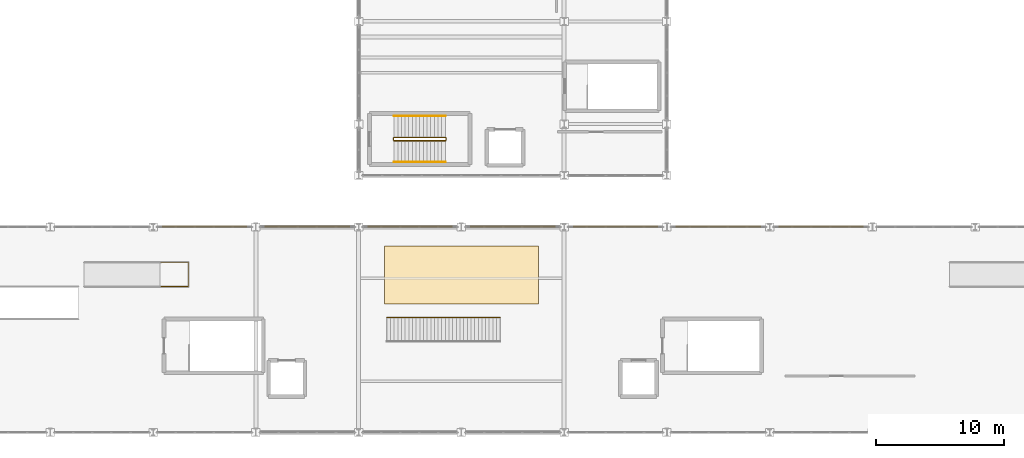
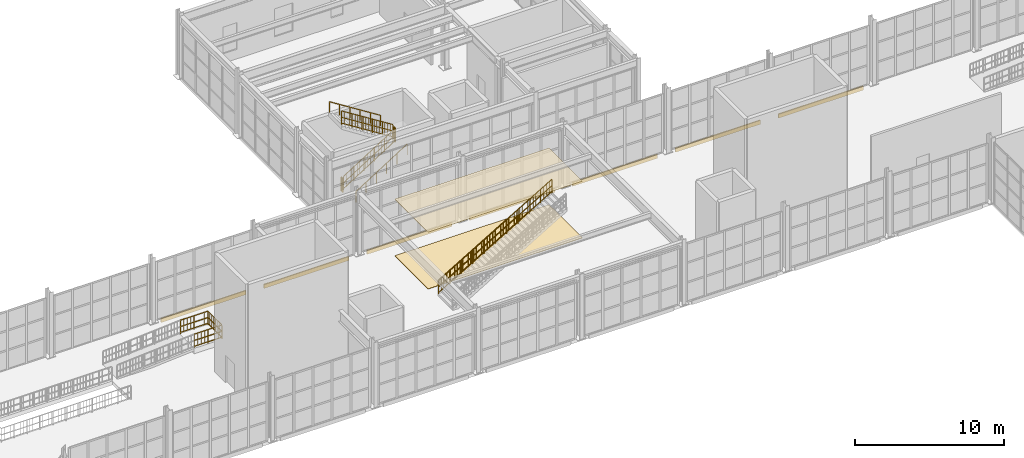
# One storey, part 80 of 82: 9 coverings, 8 railings.
"""IFC4 building model written with IfcOpenShell, lengths in metres."""

from ifc_helpers import new_model, si_unit, direction, frame, origin, origin_2d, place, context, subcontext, project, spatial, polyline, rectangle, outline, extrude, material, layer, layer_set, type_object, element, save


model = new_model("IFC4")

# Units and contexts
model_context = context("Model", 3, precision=1e-05, world=origin(), true_north=direction((0.0, 1.0)))
body_context = subcontext(model_context, "Body", "Model", "MODEL_VIEW")
ifc_project = project(units=[si_unit("LENGTHUNIT", "METRE"), si_unit("AREAUNIT", "SQUARE_METRE"), si_unit("VOLUMEUNIT", "CUBIC_METRE"), si_unit("PLANEANGLEUNIT", "RADIAN"), si_unit("MASSUNIT", "GRAM", prefix="KILO")], contexts=[model_context])

# Site, building, storey
site_placement = place(None, origin())
site = spatial("IfcSite", under=ifc_project, at=site_placement, CompositionType="ELEMENT")
building_placement = place(site_placement, origin())
building = spatial("IfcBuilding", under=site, at=building_placement, Name="Serraluz Foothill Cableway Terminal", CompositionType="ELEMENT")
storey_placement = place(building_placement, frame((0.0, 0.0, 9.60009765625)))
storey = spatial("IfcBuildingStorey", under=building, at=storey_placement, Name="L02", CompositionType="ELEMENT", Elevation=9.60009765625)

# Coverings
ifc_material_1 = material(Name="Perforated acoustic mineral and timber ceiling", Category="wood")
ifc_layer_1 = layer(ifc_material_1, 0.034912109375, Name="Perforated acoustic mineral and timber ceiling", Category="wood")
ifc_layer_set_1 = layer_set([ifc_layer_1], Name="Perforated acoustic mineral and timber ceiling")
covering_type_1 = type_object("IfcCoveringType", Name="TYP-COV-CEIL-35", PredefinedType="CEILING", material=ifc_layer_set_1)
covering_1_placement = place(storey_placement, frame((0.0, 0.0, 4.64892578125)))
element("IfcCovering", 1, at=covering_1_placement, inside=storey, type_object=covering_type_1, Name="Suspended Acoustic Ceiling 09", PredefinedType="CEILING", context=body_context, shape_type="SweptSolid", body=[
    extrude(outline(polyline([(82.0, 66.0), (82.0, 70.5), (94.0, 70.5), (94.0, 66.0), (82.0, 66.0)])), origin(), (0.0, 0.0, 1.0), 0.034912109375),
])
ifc_material_2 = material(Name="Fired clay masonry brick (f'm 12 MPa)", Category="masonry")
ifc_layer_2 = layer(ifc_material_2, 0.090087890625, Name="Fired clay masonry brick (f'm 12 MPa)", Category="masonry")
ifc_layer_set_2 = layer_set([ifc_layer_2], Name="Fired clay masonry brick (f'm 12 MPa)")
covering_type_2 = type_object("IfcCoveringType", Name="TYP-COV-CLAD-90", PredefinedType="CLADDING", material=ifc_layer_set_2)
for number, where, z_axis, x_axis, name in (
    (2, (68.0, 72.030029296875, -0.3203125), (0.0, 0.0, 1.0), (1.0, 0.0, 0.0), "Terracotta Spandrel Relief Band COV-CLAD-V1N-4"),
    (3, (76.0, 72.030029296875, -0.3203125), (0.0, 0.0, 1.0), (1.0, 0.0, 0.0), "Terracotta Spandrel Relief Band COV-CLAD-V1N-5"),
    (4, (84.0, 72.030029296875, -0.3203125), (0.0, 0.0, 1.0), (1.0, 0.0, 0.0), "Terracotta Spandrel Relief Band COV-CLAD-V1N-6"),
    (5, (92.0, 72.030029296875, -0.3203125), (0.0, 0.0, 1.0), (1.0, 0.0, 0.0), "Terracotta Spandrel Relief Band COV-CLAD-V1N-7"),
    (6, (100.0, 72.030029296875, -0.3203125), (0.0, 0.0, 1.0), (1.0, 0.0, 0.0), "Terracotta Spandrel Relief Band COV-CLAD-V1N-8"),
    (7, (108.0, 72.030029296875, -0.3203125), (0.0, 0.0, 1.0), (1.0, 0.0, 0.0), "Terracotta Spandrel Relief Band COV-CLAD-V1N-9"),
    (8, (116.0, 72.030029296875, -0.3203125), (0.0, 0.0, 1.0), (1.0, 0.0, 0.0), "Terracotta Spandrel Relief Band COV-CLAD-V1N-10"),
):
    element("IfcCovering", number, at=place(storey_placement, frame(where, z_axis=z_axis, x_axis=x_axis)), inside=storey, type_object=covering_type_2, Name=name, PredefinedType="CLADDING", context=body_context, shape_type="SweptSolid", body=[
        extrude(rectangle(XDim=6.60009765625, YDim=0.090087890625, at=origin_2d()), origin(), (0.0, 0.0, 1.0), 0.320068359375),
    ])
ifc_material_3 = material(Name="Honed basalt and terrazzo floor finish", Category="masonry")
ifc_layer_3 = layer(ifc_material_3, 0.02490234375, Name="Honed basalt and terrazzo floor finish", Category="masonry")
ifc_layer_set_3 = layer_set([ifc_layer_3], Name="Honed basalt and terrazzo floor finish")
covering_type_3 = type_object("IfcCoveringType", Name="TYP-COV-FLR-25", PredefinedType="FLOORING", material=ifc_layer_set_3)
covering_2_placement = place(storey_placement, origin())
element("IfcCovering", 9, at=covering_2_placement, inside=storey, type_object=covering_type_3, Name="Terrazzo Concourse Flooring 09", PredefinedType="FLOORING", context=body_context, shape_type="SweptSolid", body=[
    extrude(outline(polyline([(82.0, 66.0), (94.0, 66.0), (94.0, 70.5), (82.0, 70.5), (82.0, 66.0)])), origin(), (0.0, 0.0, 1.0), 0.02490234375),
])

# Railings
ifc_material_4 = material(Name="Steel ASTM A572 Grade 50", Category="steel")
ifc_layer_4 = layer(ifc_material_4, 0.054931640625, Name="Steel ASTM A572 Grade 50", Category="steel")
ifc_layer_set_4 = layer_set([ifc_layer_4], Name="Steel ASTM A572 Grade 50")
railing_type_1 = type_object("IfcRailingType", Name="TYP-RL-GRD-1150", PredefinedType="GUARDRAIL", material=ifc_layer_set_4)
railing_1_placement = place(storey_placement, frame((82.760009765625, 78.7099609375, 0.179931640625)))
element("IfcRailing", 10, at=railing_1_placement, inside=storey, type_object=railing_type_1, Name="L02 ST-08 stair guard 1", PredefinedType="GUARDRAIL", context=body_context, shape_type="SweptSolid", body=[
    extrude(rectangle(XDim=0.048095703125, YDim=0.048095703125, at=origin_2d()), frame((0.0, 0.0, 1.1259765625), z_axis=(0.845486444383, 0.0, 0.533996884227), x_axis=(0.0, 1.0, 0.0)), (0.0, 0.0, 1.0), 4.71923828125),
    extrude(rectangle(XDim=0.048095703125, YDim=0.048095703125, at=origin_2d()), frame((0.0, 0.0, 0.597900390625), z_axis=(0.845486444383, 0.0, 0.533996884227), x_axis=(0.0, 1.0, 0.0)), (0.0, 0.0, 1.0), 4.71923828125),
    extrude(rectangle(XDim=0.048095703125, YDim=0.048095703125, at=origin_2d()), frame((0.0, 0.0, 0.1201171875), z_axis=(0.845486444383, 0.0, 0.533996884227), x_axis=(0.0, 1.0, 0.0)), (0.0, 0.0, 1.0), 4.71923828125),
    extrude(rectangle(XDim=0.02001953125, YDim=0.02001953125, at=origin_2d()), frame((0.2099609375, 0.0, 0.252685546875)), (0.0, 0.0, 1.0), 0.981689453125),
    extrude(rectangle(XDim=0.02001953125, YDim=0.02001953125, at=origin_2d()), frame((0.419921875, 0.0, 0.38525390625)), (0.0, 0.0, 1.0), 0.981689453125),
    extrude(rectangle(XDim=0.02001953125, YDim=0.02001953125, at=origin_2d()), frame((0.6298828125, 0.0, 0.517822265625)), (0.0, 0.0, 1.0), 0.981689453125),
    extrude(rectangle(XDim=0.02001953125, YDim=0.02001953125, at=origin_2d()), frame((1.050048828125, 0.0, 0.783203125)), (0.0, 0.0, 1.0), 0.981689453125),
    extrude(rectangle(XDim=0.02001953125, YDim=0.02001953125, at=origin_2d()), frame((1.260009765625, 0.0, 0.915771484375)), (0.0, 0.0, 1.0), 0.981689453125),
    extrude(rectangle(XDim=0.02001953125, YDim=0.02001953125, at=origin_2d()), frame((1.469970703125, 0.0, 1.04833984375)), (0.0, 0.0, 1.0), 0.981689453125),
    extrude(rectangle(XDim=0.02001953125, YDim=0.02001953125, at=origin_2d()), frame((1.679931640625, 0.0, 1.18115234375)), (0.0, 0.0, 1.0), 0.981689453125),
    extrude(rectangle(XDim=0.02001953125, YDim=0.02001953125, at=origin_2d()), frame((1.889892578125, 0.0, 1.313720703125)), (0.0, 0.0, 1.0), 0.981689453125),
    extrude(rectangle(XDim=0.02001953125, YDim=0.02001953125, at=origin_2d()), frame((2.10009765625, 0.0, 1.4462890625)), (0.0, 0.0, 1.0), 0.981689453125),
    extrude(rectangle(XDim=0.02001953125, YDim=0.02001953125, at=origin_2d()), frame((2.31005859375, 0.0, 1.578857421875)), (0.0, 0.0, 1.0), 0.981689453125),
    extrude(rectangle(XDim=0.02001953125, YDim=0.02001953125, at=origin_2d()), frame((2.52001953125, 0.0, 1.711669921875)), (0.0, 0.0, 1.0), 0.981689453125),
    extrude(rectangle(XDim=0.02001953125, YDim=0.02001953125, at=origin_2d()), frame((2.72998046875, 0.0, 1.84423828125)), (0.0, 0.0, 1.0), 0.981689453125),
    extrude(rectangle(XDim=0.02001953125, YDim=0.02001953125, at=origin_2d()), frame((2.93994140625, 0.0, 1.976806640625)), (0.0, 0.0, 1.0), 0.981689453125),
    extrude(rectangle(XDim=0.02001953125, YDim=0.02001953125, at=origin_2d()), frame((3.360107421875, 0.0, 2.2421875)), (0.0, 0.0, 1.0), 0.981689453125),
    extrude(rectangle(XDim=0.02001953125, YDim=0.02001953125, at=origin_2d()), frame((3.570068359375, 0.0, 2.374755859375)), (0.0, 0.0, 1.0), 0.981689453125),
    extrude(rectangle(XDim=0.02001953125, YDim=0.02001953125, at=origin_2d()), frame((3.780029296875, 0.0, 2.50732421875)), (0.0, 0.0, 1.0), 0.981689453125),
    extrude(rectangle(XDim=0.0439453125, YDim=0.0439453125, at=origin_2d()), origin(), (0.0, 0.0, 1.0), 1.101806640625),
    extrude(rectangle(XDim=0.0439453125, YDim=0.0439453125, at=origin_2d()), frame((0.798095703125, 0.0, 0.50390625)), (0.0, 0.0, 1.0), 1.101806640625),
    extrude(rectangle(XDim=0.0439453125, YDim=0.0439453125, at=origin_2d()), frame((1.595947265625, 0.0, 1.008056640625)), (0.0, 0.0, 1.0), 1.101806640625),
    extrude(rectangle(XDim=0.0439453125, YDim=0.0439453125, at=origin_2d()), frame((2.39404296875, 0.0, 1.511962890625)), (0.0, 0.0, 1.0), 1.101806640625),
    extrude(rectangle(XDim=0.0439453125, YDim=0.0439453125, at=origin_2d()), frame((3.19189453125, 0.0, 2.01611328125)), (0.0, 0.0, 1.0), 1.101806640625),
    extrude(rectangle(XDim=0.0439453125, YDim=0.0439453125, at=origin_2d()), frame((3.989990234375, 0.0, 2.52001953125)), (0.0, 0.0, 1.0), 1.101806640625),
])
railing_2_placement = place(storey_placement, frame((86.800048828125, 78.760009765625, 2.699951171875)))
element("IfcRailing", 11, at=railing_2_placement, inside=storey, type_object=railing_type_1, Name="L02 ST-08 stair guard 2", PredefinedType="GUARDRAIL", context=body_context, shape_type="SweptSolid", body=[
    extrude(rectangle(XDim=0.048095703125, YDim=0.048095703125, at=origin_2d()), frame((0.0, 0.0, 1.1259765625), z_axis=(0.0, 1.0, 0.0), x_axis=(-1.0, 0.0, 0.0)), (0.0, 0.0, 1.0), 0.159912109375),
    extrude(rectangle(XDim=0.048095703125, YDim=0.048095703125, at=origin_2d()), frame((0.0, 0.0, 0.597900390625), z_axis=(0.0, 1.0, 0.0), x_axis=(-1.0, 0.0, 0.0)), (0.0, 0.0, 1.0), 0.159912109375),
    extrude(rectangle(XDim=0.048095703125, YDim=0.048095703125, at=origin_2d()), frame((0.0, 0.0, 0.1201171875), z_axis=(0.0, 1.0, 0.0), x_axis=(-1.0, 0.0, 0.0)), (0.0, 0.0, 1.0), 0.159912109375),
    extrude(rectangle(XDim=0.0439453125, YDim=0.0439453125, at=origin_2d()), origin(), (0.0, 0.0, 1.0), 1.101806640625),
    extrude(rectangle(XDim=0.0439453125, YDim=0.0439453125, at=origin_2d()), frame((0.0, 0.159912109375, 0.0)), (0.0, 0.0, 1.0), 1.101806640625),
])
railing_3_placement = place(storey_placement, frame((86.75, 78.969970703125, 2.8798828125)))
element("IfcRailing", 12, at=railing_3_placement, inside=storey, type_object=railing_type_1, Name="L02 ST-08 stair guard 3", PredefinedType="GUARDRAIL", context=body_context, shape_type="SweptSolid", body=[
    extrude(rectangle(XDim=0.048095703125, YDim=0.048095703125, at=origin_2d()), frame((0.0, 0.0, 1.1259765625), z_axis=(-0.845486444383, 0.0, 0.533996884227), x_axis=(0.0, -1.0, 0.0)), (0.0, 0.0, 1.0), 4.71923828125),
    extrude(rectangle(XDim=0.048095703125, YDim=0.048095703125, at=origin_2d()), frame((0.0, 0.0, 0.597900390625), z_axis=(-0.845486444383, 0.0, 0.533996884227), x_axis=(0.0, -1.0, 0.0)), (0.0, 0.0, 1.0), 4.71923828125),
    extrude(rectangle(XDim=0.048095703125, YDim=0.048095703125, at=origin_2d()), frame((0.0, 0.0, 0.1201171875), z_axis=(-0.845486444383, 0.0, 0.533996884227), x_axis=(0.0, -1.0, 0.0)), (0.0, 0.0, 1.0), 4.71923828125),
    extrude(rectangle(XDim=0.02001953125, YDim=0.02001953125, at=origin_2d()), frame((-0.2099609375, 0.0, 0.252685546875)), (0.0, 0.0, 1.0), 0.981689453125),
    extrude(rectangle(XDim=0.02001953125, YDim=0.02001953125, at=origin_2d()), frame((-0.419921875, 0.0, 0.38525390625)), (0.0, 0.0, 1.0), 0.981689453125),
    extrude(rectangle(XDim=0.02001953125, YDim=0.02001953125, at=origin_2d()), frame((-0.6298828125, 0.0, 0.517822265625)), (0.0, 0.0, 1.0), 0.981689453125),
    extrude(rectangle(XDim=0.02001953125, YDim=0.02001953125, at=origin_2d()), frame((-1.050048828125, 0.0, 0.783203125)), (0.0, 0.0, 1.0), 0.981689453125),
    extrude(rectangle(XDim=0.02001953125, YDim=0.02001953125, at=origin_2d()), frame((-1.260009765625, 0.0, 0.915771484375)), (0.0, 0.0, 1.0), 0.981689453125),
    extrude(rectangle(XDim=0.02001953125, YDim=0.02001953125, at=origin_2d()), frame((-1.469970703125, 0.0, 1.04833984375)), (0.0, 0.0, 1.0), 0.981689453125),
    extrude(rectangle(XDim=0.02001953125, YDim=0.02001953125, at=origin_2d()), frame((-1.679931640625, 0.0, 1.18115234375)), (0.0, 0.0, 1.0), 0.981689453125),
    extrude(rectangle(XDim=0.02001953125, YDim=0.02001953125, at=origin_2d()), frame((-1.889892578125, 0.0, 1.313720703125)), (0.0, 0.0, 1.0), 0.981689453125),
    extrude(rectangle(XDim=0.02001953125, YDim=0.02001953125, at=origin_2d()), frame((-2.10009765625, 0.0, 1.4462890625)), (0.0, 0.0, 1.0), 0.981689453125),
    extrude(rectangle(XDim=0.02001953125, YDim=0.02001953125, at=origin_2d()), frame((-2.31005859375, 0.0, 1.578857421875)), (0.0, 0.0, 1.0), 0.981689453125),
    extrude(rectangle(XDim=0.02001953125, YDim=0.02001953125, at=origin_2d()), frame((-2.52001953125, 0.0, 1.711669921875)), (0.0, 0.0, 1.0), 0.981689453125),
    extrude(rectangle(XDim=0.02001953125, YDim=0.02001953125, at=origin_2d()), frame((-2.72998046875, 0.0, 1.84423828125)), (0.0, 0.0, 1.0), 0.981689453125),
    extrude(rectangle(XDim=0.02001953125, YDim=0.02001953125, at=origin_2d()), frame((-2.93994140625, 0.0, 1.976806640625)), (0.0, 0.0, 1.0), 0.981689453125),
    extrude(rectangle(XDim=0.02001953125, YDim=0.02001953125, at=origin_2d()), frame((-3.360107421875, 0.0, 2.2421875)), (0.0, 0.0, 1.0), 0.981689453125),
    extrude(rectangle(XDim=0.02001953125, YDim=0.02001953125, at=origin_2d()), frame((-3.570068359375, 0.0, 2.374755859375)), (0.0, 0.0, 1.0), 0.981689453125),
    extrude(rectangle(XDim=0.02001953125, YDim=0.02001953125, at=origin_2d()), frame((-3.780029296875, 0.0, 2.50732421875)), (0.0, 0.0, 1.0), 0.981689453125),
    extrude(rectangle(XDim=0.0439453125, YDim=0.0439453125, at=origin_2d()), origin(), (0.0, 0.0, 1.0), 1.101806640625),
    extrude(rectangle(XDim=0.0439453125, YDim=0.0439453125, at=origin_2d()), frame((-0.798095703125, 0.0, 0.50390625)), (0.0, 0.0, 1.0), 1.101806640625),
    extrude(rectangle(XDim=0.0439453125, YDim=0.0439453125, at=origin_2d()), frame((-1.595947265625, 0.0, 1.008056640625)), (0.0, 0.0, 1.0), 1.101806640625),
    extrude(rectangle(XDim=0.0439453125, YDim=0.0439453125, at=origin_2d()), frame((-2.39404296875, 0.0, 1.511962890625)), (0.0, 0.0, 1.0), 1.101806640625),
    extrude(rectangle(XDim=0.0439453125, YDim=0.0439453125, at=origin_2d()), frame((-3.19189453125, 0.0, 2.01611328125)), (0.0, 0.0, 1.0), 1.101806640625),
    extrude(rectangle(XDim=0.0439453125, YDim=0.0439453125, at=origin_2d()), frame((-3.989990234375, 0.0, 2.52001953125)), (0.0, 0.0, 1.0), 1.101806640625),
])
railing_4_placement = place(storey_placement, frame((82.7099609375, 78.760009765625, 0.0)))
element("IfcRailing", 13, at=railing_4_placement, inside=storey, type_object=railing_type_1, Name="L02 ST-08 stair guard 4", PredefinedType="GUARDRAIL", context=body_context, shape_type="SweptSolid", body=[
    extrude(rectangle(XDim=0.048095703125, YDim=0.048095703125, at=origin_2d()), frame((0.0, 0.0, 1.1259765625), z_axis=(0.0, 1.0, 0.0), x_axis=(-1.0, 0.0, 0.0)), (0.0, 0.0, 1.0), 0.159912109375),
    extrude(rectangle(XDim=0.048095703125, YDim=0.048095703125, at=origin_2d()), frame((0.0, 0.0, 0.597900390625), z_axis=(0.0, 1.0, 0.0), x_axis=(-1.0, 0.0, 0.0)), (0.0, 0.0, 1.0), 0.159912109375),
    extrude(rectangle(XDim=0.048095703125, YDim=0.048095703125, at=origin_2d()), frame((0.0, 0.0, 0.1201171875), z_axis=(0.0, 1.0, 0.0), x_axis=(-1.0, 0.0, 0.0)), (0.0, 0.0, 1.0), 0.159912109375),
    extrude(rectangle(XDim=0.0439453125, YDim=0.0439453125, at=origin_2d()), origin(), (0.0, 0.0, 1.0), 1.101806640625),
    extrude(rectangle(XDim=0.0439453125, YDim=0.0439453125, at=origin_2d()), frame((0.0, 0.159912109375, 0.0)), (0.0, 0.0, 1.0), 1.101806640625),
])
railing_5_placement = place(storey_placement, frame((82.199951171875, 64.949951171875, 0.168701171875)))
element("IfcRailing", 14, at=railing_5_placement, inside=storey, type_object=railing_type_1, Name="GUARDRAIL ST-F03-R", PredefinedType="GUARDRAIL", context=body_context, shape_type="SweptSolid", body=[
    extrude(rectangle(XDim=0.048095703125, YDim=0.048095703125, at=origin_2d()), frame((0.0, 0.0, 1.1259765625), z_axis=(0.860099270973, 0.0, 0.510126694138), x_axis=(0.0, 1.0, 0.0)), (0.0, 0.0, 1.0), 10.254638671875),
    extrude(rectangle(XDim=0.048095703125, YDim=0.048095703125, at=origin_2d()), frame((0.0, 0.0, 0.597900390625), z_axis=(0.860099270973, 0.0, 0.510126694138), x_axis=(0.0, 1.0, 0.0)), (0.0, 0.0, 1.0), 10.254638671875),
    extrude(rectangle(XDim=0.048095703125, YDim=0.048095703125, at=origin_2d()), frame((0.0, 0.0, 0.1201171875), z_axis=(0.860099270973, 0.0, 0.510126694138), x_axis=(0.0, 1.0, 0.0)), (0.0, 0.0, 1.0), 10.254638671875),
    extrude(rectangle(XDim=0.02001953125, YDim=0.02001953125, at=origin_2d()), frame((0.2099609375, 0.0, 0.24462890625)), (0.0, 0.0, 1.0), 0.981689453125),
    extrude(rectangle(XDim=0.02001953125, YDim=0.02001953125, at=origin_2d()), frame((0.419921875, 0.0, 0.369140625)), (0.0, 0.0, 1.0), 0.981689453125),
    extrude(rectangle(XDim=0.02001953125, YDim=0.02001953125, at=origin_2d()), frame((0.6298828125, 0.0, 0.49365234375)), (0.0, 0.0, 1.0), 0.981689453125),
    extrude(rectangle(XDim=0.02001953125, YDim=0.02001953125, at=origin_2d()), frame((1.050048828125, 0.0, 0.74267578125)), (0.0, 0.0, 1.0), 0.981689453125),
    extrude(rectangle(XDim=0.02001953125, YDim=0.02001953125, at=origin_2d()), frame((1.260009765625, 0.0, 0.867431640625)), (0.0, 0.0, 1.0), 0.981689453125),
    extrude(rectangle(XDim=0.02001953125, YDim=0.02001953125, at=origin_2d()), frame((1.469970703125, 0.0, 0.991943359375)), (0.0, 0.0, 1.0), 0.981689453125),
    extrude(rectangle(XDim=0.02001953125, YDim=0.02001953125, at=origin_2d()), frame((1.679931640625, 0.0, 1.116455078125)), (0.0, 0.0, 1.0), 0.981689453125),
    extrude(rectangle(XDim=0.02001953125, YDim=0.02001953125, at=origin_2d()), frame((1.89013671875, 0.0, 1.240966796875)), (0.0, 0.0, 1.0), 0.981689453125),
    extrude(rectangle(XDim=0.02001953125, YDim=0.02001953125, at=origin_2d()), frame((2.10009765625, 0.0, 1.365478515625)), (0.0, 0.0, 1.0), 0.981689453125),
    extrude(rectangle(XDim=0.02001953125, YDim=0.02001953125, at=origin_2d()), frame((2.31005859375, 0.0, 1.489990234375)), (0.0, 0.0, 1.0), 0.981689453125),
    extrude(rectangle(XDim=0.02001953125, YDim=0.02001953125, at=origin_2d()), frame((2.52001953125, 0.0, 1.61474609375)), (0.0, 0.0, 1.0), 0.981689453125),
    extrude(rectangle(XDim=0.02001953125, YDim=0.02001953125, at=origin_2d()), frame((2.72998046875, 0.0, 1.7392578125)), (0.0, 0.0, 1.0), 0.981689453125),
    extrude(rectangle(XDim=0.02001953125, YDim=0.02001953125, at=origin_2d()), frame((2.93994140625, 0.0, 1.86376953125)), (0.0, 0.0, 1.0), 0.981689453125),
    extrude(rectangle(XDim=0.02001953125, YDim=0.02001953125, at=origin_2d()), frame((3.14990234375, 0.0, 1.98828125)), (0.0, 0.0, 1.0), 0.981689453125),
    extrude(rectangle(XDim=0.02001953125, YDim=0.02001953125, at=origin_2d()), frame((3.360107421875, 0.0, 2.11279296875)), (0.0, 0.0, 1.0), 0.981689453125),
    extrude(rectangle(XDim=0.02001953125, YDim=0.02001953125, at=origin_2d()), frame((3.780029296875, 0.0, 2.362060546875)), (0.0, 0.0, 1.0), 0.981689453125),
    extrude(rectangle(XDim=0.02001953125, YDim=0.02001953125, at=origin_2d()), frame((3.989990234375, 0.0, 2.486572265625)), (0.0, 0.0, 1.0), 0.981689453125),
    extrude(rectangle(XDim=0.02001953125, YDim=0.02001953125, at=origin_2d()), frame((4.199951171875, 0.0, 2.611083984375)), (0.0, 0.0, 1.0), 0.981689453125),
    extrude(rectangle(XDim=0.02001953125, YDim=0.02001953125, at=origin_2d()), frame((4.6201171875, 0.0, 2.860107421875)), (0.0, 0.0, 1.0), 0.981689453125),
    extrude(rectangle(XDim=0.02001953125, YDim=0.02001953125, at=origin_2d()), frame((4.830078125, 0.0, 2.984619140625)), (0.0, 0.0, 1.0), 0.981689453125),
    extrude(rectangle(XDim=0.02001953125, YDim=0.02001953125, at=origin_2d()), frame((5.0400390625, 0.0, 3.109375)), (0.0, 0.0, 1.0), 0.981689453125),
    extrude(rectangle(XDim=0.02001953125, YDim=0.02001953125, at=origin_2d()), frame((5.4599609375, 0.0, 3.3583984375)), (0.0, 0.0, 1.0), 0.981689453125),
    extrude(rectangle(XDim=0.02001953125, YDim=0.02001953125, at=origin_2d()), frame((5.669921875, 0.0, 3.48291015625)), (0.0, 0.0, 1.0), 0.981689453125),
    extrude(rectangle(XDim=0.02001953125, YDim=0.02001953125, at=origin_2d()), frame((5.880126953125, 0.0, 3.607421875)), (0.0, 0.0, 1.0), 0.981689453125),
    extrude(rectangle(XDim=0.02001953125, YDim=0.02001953125, at=origin_2d()), frame((6.090087890625, 0.0, 3.73193359375)), (0.0, 0.0, 1.0), 0.981689453125),
    extrude(rectangle(XDim=0.02001953125, YDim=0.02001953125, at=origin_2d()), frame((6.300048828125, 0.0, 3.856689453125)), (0.0, 0.0, 1.0), 0.981689453125),
    extrude(rectangle(XDim=0.02001953125, YDim=0.02001953125, at=origin_2d()), frame((6.510009765625, 0.0, 3.981201171875)), (0.0, 0.0, 1.0), 0.981689453125),
    extrude(rectangle(XDim=0.02001953125, YDim=0.02001953125, at=origin_2d()), frame((6.719970703125, 0.0, 4.105712890625)), (0.0, 0.0, 1.0), 0.981689453125),
    extrude(rectangle(XDim=0.02001953125, YDim=0.02001953125, at=origin_2d()), frame((6.93017578125, 0.0, 4.230224609375)), (0.0, 0.0, 1.0), 0.981689453125),
    extrude(rectangle(XDim=0.02001953125, YDim=0.02001953125, at=origin_2d()), frame((7.14013671875, 0.0, 4.354736328125)), (0.0, 0.0, 1.0), 0.981689453125),
    extrude(rectangle(XDim=0.02001953125, YDim=0.02001953125, at=origin_2d()), frame((7.35009765625, 0.0, 4.479248046875)), (0.0, 0.0, 1.0), 0.981689453125),
    extrude(rectangle(XDim=0.02001953125, YDim=0.02001953125, at=origin_2d()), frame((7.56005859375, 0.0, 4.60400390625)), (0.0, 0.0, 1.0), 0.981689453125),
    extrude(rectangle(XDim=0.02001953125, YDim=0.02001953125, at=origin_2d()), frame((7.77001953125, 0.0, 4.728515625)), (0.0, 0.0, 1.0), 0.981689453125),
    extrude(rectangle(XDim=0.02001953125, YDim=0.02001953125, at=origin_2d()), frame((8.18994140625, 0.0, 4.9775390625)), (0.0, 0.0, 1.0), 0.981689453125),
    extrude(rectangle(XDim=0.02001953125, YDim=0.02001953125, at=origin_2d()), frame((8.400146484375, 0.0, 5.10205078125)), (0.0, 0.0, 1.0), 0.981689453125),
    extrude(rectangle(XDim=0.02001953125, YDim=0.02001953125, at=origin_2d()), frame((8.610107421875, 0.0, 5.2265625)), (0.0, 0.0, 1.0), 0.981689453125),
    extrude(rectangle(XDim=0.0439453125, YDim=0.0439453125, at=origin_2d()), origin(), (0.0, 0.0, 1.0), 1.101806640625),
    extrude(rectangle(XDim=0.0439453125, YDim=0.0439453125, at=origin_2d()), frame((0.882080078125, 0.0, 0.523193359375)), (0.0, 0.0, 1.0), 1.101806640625),
    extrude(rectangle(XDim=0.0439453125, YDim=0.0439453125, at=origin_2d()), frame((1.763916015625, 0.0, 1.046142578125)), (0.0, 0.0, 1.0), 1.101806640625),
    extrude(rectangle(XDim=0.0439453125, YDim=0.0439453125, at=origin_2d()), frame((2.64599609375, 0.0, 1.5693359375)), (0.0, 0.0, 1.0), 1.101806640625),
    extrude(rectangle(XDim=0.0439453125, YDim=0.0439453125, at=origin_2d()), frame((3.528076171875, 0.0, 2.092529296875)), (0.0, 0.0, 1.0), 1.101806640625),
    extrude(rectangle(XDim=0.0439453125, YDim=0.0439453125, at=origin_2d()), frame((4.41015625, 0.0, 2.61572265625)), (0.0, 0.0, 1.0), 1.101806640625),
    extrude(rectangle(XDim=0.0439453125, YDim=0.0439453125, at=origin_2d()), frame((5.2919921875, 0.0, 3.138671875)), (0.0, 0.0, 1.0), 1.101806640625),
    extrude(rectangle(XDim=0.0439453125, YDim=0.0439453125, at=origin_2d()), frame((6.174072265625, 0.0, 3.661865234375)), (0.0, 0.0, 1.0), 1.101806640625),
    extrude(rectangle(XDim=0.0439453125, YDim=0.0439453125, at=origin_2d()), frame((7.05615234375, 0.0, 4.18505859375)), (0.0, 0.0, 1.0), 1.101806640625),
    extrude(rectangle(XDim=0.0439453125, YDim=0.0439453125, at=origin_2d()), frame((7.93798828125, 0.0, 4.7080078125)), (0.0, 0.0, 1.0), 1.101806640625),
    extrude(rectangle(XDim=0.0439453125, YDim=0.0439453125, at=origin_2d()), frame((8.820068359375, 0.0, 5.231201171875)), (0.0, 0.0, 1.0), 1.101806640625),
])
railing_6_placement = place(storey_placement, frame((64.60009765625, 67.360107421875, 0.449951171875)))
element("IfcRailing", 15, at=railing_6_placement, inside=storey, type_object=railing_type_1, Name="GUARDRAIL RMP-05 Plinth", PredefinedType="GUARDRAIL", context=body_context, shape_type="SweptSolid", body=[
    extrude(rectangle(XDim=0.048095703125, YDim=0.048095703125, at=origin_2d()), frame((0.0, 0.0, 1.1259765625), z_axis=(1.0, 0.0, 0.0), x_axis=(0.0, 1.0, 0.0)), (0.0, 0.0, 1.0), 2.139892578125),
    extrude(rectangle(XDim=0.048095703125, YDim=0.048095703125, at=origin_2d()), frame((0.0, 0.0, 0.597900390625), z_axis=(1.0, 0.0, 0.0), x_axis=(0.0, 1.0, 0.0)), (0.0, 0.0, 1.0), 2.139892578125),
    extrude(rectangle(XDim=0.048095703125, YDim=0.048095703125, at=origin_2d()), frame((0.0, 0.0, 0.1201171875), z_axis=(1.0, 0.0, 0.0), x_axis=(0.0, 1.0, 0.0)), (0.0, 0.0, 1.0), 2.139892578125),
    extrude(rectangle(XDim=0.02001953125, YDim=0.02001953125, at=origin_2d()), frame((0.267578125, 0.0, 0.1201171875)), (0.0, 0.0, 1.0), 0.981689453125),
    extrude(rectangle(XDim=0.02001953125, YDim=0.02001953125, at=origin_2d()), frame((0.534912109375, 0.0, 0.1201171875)), (0.0, 0.0, 1.0), 0.981689453125),
    extrude(rectangle(XDim=0.02001953125, YDim=0.02001953125, at=origin_2d()), frame((0.802490234375, 0.0, 0.1201171875)), (0.0, 0.0, 1.0), 0.981689453125),
    extrude(rectangle(XDim=0.02001953125, YDim=0.02001953125, at=origin_2d()), frame((1.33740234375, 0.0, 0.1201171875)), (0.0, 0.0, 1.0), 0.981689453125),
    extrude(rectangle(XDim=0.02001953125, YDim=0.02001953125, at=origin_2d()), frame((1.60498046875, 0.0, 0.1201171875)), (0.0, 0.0, 1.0), 0.981689453125),
    extrude(rectangle(XDim=0.02001953125, YDim=0.02001953125, at=origin_2d()), frame((1.872314453125, 0.0, 0.1201171875)), (0.0, 0.0, 1.0), 0.981689453125),
    extrude(rectangle(XDim=0.048095703125, YDim=0.048095703125, at=origin_2d()), frame((2.139892578125, 0.0, 1.1259765625), z_axis=(0.0, 1.0, 0.0), x_axis=(-1.0, 0.0, 0.0)), (0.0, 0.0, 1.0), 1.8798828125),
    extrude(rectangle(XDim=0.048095703125, YDim=0.048095703125, at=origin_2d()), frame((2.139892578125, 0.0, 0.597900390625), z_axis=(0.0, 1.0, 0.0), x_axis=(-1.0, 0.0, 0.0)), (0.0, 0.0, 1.0), 1.8798828125),
    extrude(rectangle(XDim=0.048095703125, YDim=0.048095703125, at=origin_2d()), frame((2.139892578125, 0.0, 0.1201171875), z_axis=(0.0, 1.0, 0.0), x_axis=(-1.0, 0.0, 0.0)), (0.0, 0.0, 1.0), 1.8798828125),
    extrude(rectangle(XDim=0.02001953125, YDim=0.02001953125, at=origin_2d()), frame((2.139892578125, 0.2685546875, 0.1201171875)), (0.0, 0.0, 1.0), 0.981689453125),
    extrude(rectangle(XDim=0.02001953125, YDim=0.02001953125, at=origin_2d()), frame((2.139892578125, 0.537109375, 0.1201171875)), (0.0, 0.0, 1.0), 0.981689453125),
    extrude(rectangle(XDim=0.02001953125, YDim=0.02001953125, at=origin_2d()), frame((2.139892578125, 0.8056640625, 0.1201171875)), (0.0, 0.0, 1.0), 0.981689453125),
    extrude(rectangle(XDim=0.02001953125, YDim=0.02001953125, at=origin_2d()), frame((2.139892578125, 1.07421875, 0.1201171875)), (0.0, 0.0, 1.0), 0.981689453125),
    extrude(rectangle(XDim=0.02001953125, YDim=0.02001953125, at=origin_2d()), frame((2.139892578125, 1.3427734375, 0.1201171875)), (0.0, 0.0, 1.0), 0.981689453125),
    extrude(rectangle(XDim=0.02001953125, YDim=0.02001953125, at=origin_2d()), frame((2.139892578125, 1.611328125, 0.1201171875)), (0.0, 0.0, 1.0), 0.981689453125),
    extrude(rectangle(XDim=0.048095703125, YDim=0.048095703125, at=origin_2d()), frame((2.139892578125, 1.8798828125, 1.1259765625), z_axis=(-1.0, 0.0, 0.0), x_axis=(0.0, -1.0, 0.0)), (0.0, 0.0, 1.0), 2.139892578125),
    extrude(rectangle(XDim=0.048095703125, YDim=0.048095703125, at=origin_2d()), frame((2.139892578125, 1.8798828125, 0.597900390625), z_axis=(-1.0, 0.0, 0.0), x_axis=(0.0, -1.0, 0.0)), (0.0, 0.0, 1.0), 2.139892578125),
    extrude(rectangle(XDim=0.048095703125, YDim=0.048095703125, at=origin_2d()), frame((2.139892578125, 1.8798828125, 0.1201171875), z_axis=(-1.0, 0.0, 0.0), x_axis=(0.0, -1.0, 0.0)), (0.0, 0.0, 1.0), 2.139892578125),
    extrude(rectangle(XDim=0.02001953125, YDim=0.02001953125, at=origin_2d()), frame((1.872314453125, 1.8798828125, 0.1201171875)), (0.0, 0.0, 1.0), 0.981689453125),
    extrude(rectangle(XDim=0.02001953125, YDim=0.02001953125, at=origin_2d()), frame((1.60498046875, 1.8798828125, 0.1201171875)), (0.0, 0.0, 1.0), 0.981689453125),
    extrude(rectangle(XDim=0.02001953125, YDim=0.02001953125, at=origin_2d()), frame((1.33740234375, 1.8798828125, 0.1201171875)), (0.0, 0.0, 1.0), 0.981689453125),
    extrude(rectangle(XDim=0.02001953125, YDim=0.02001953125, at=origin_2d()), frame((0.802490234375, 1.8798828125, 0.1201171875)), (0.0, 0.0, 1.0), 0.981689453125),
    extrude(rectangle(XDim=0.02001953125, YDim=0.02001953125, at=origin_2d()), frame((0.534912109375, 1.8798828125, 0.1201171875)), (0.0, 0.0, 1.0), 0.981689453125),
    extrude(rectangle(XDim=0.02001953125, YDim=0.02001953125, at=origin_2d()), frame((0.267578125, 1.8798828125, 0.1201171875)), (0.0, 0.0, 1.0), 0.981689453125),
    extrude(rectangle(XDim=0.0439453125, YDim=0.0439453125, at=origin_2d()), origin(), (0.0, 0.0, 1.0), 1.101806640625),
    extrude(rectangle(XDim=0.0439453125, YDim=0.0439453125, at=origin_2d()), frame((1.06982421875, 0.0, 0.0)), (0.0, 0.0, 1.0), 1.101806640625),
    extrude(rectangle(XDim=0.0439453125, YDim=0.0439453125, at=origin_2d()), frame((2.139892578125, 0.0, 0.0)), (0.0, 0.0, 1.0), 1.101806640625),
    extrude(rectangle(XDim=0.0439453125, YDim=0.0439453125, at=origin_2d()), frame((2.139892578125, 0.93994140625, 0.0)), (0.0, 0.0, 1.0), 1.101806640625),
    extrude(rectangle(XDim=0.0439453125, YDim=0.0439453125, at=origin_2d()), frame((2.139892578125, 1.8798828125, 0.0)), (0.0, 0.0, 1.0), 1.101806640625),
    extrude(rectangle(XDim=0.0439453125, YDim=0.0439453125, at=origin_2d()), frame((1.06982421875, 1.8798828125, 0.0)), (0.0, 0.0, 1.0), 1.101806640625),
    extrude(rectangle(XDim=0.0439453125, YDim=0.0439453125, at=origin_2d()), frame((0.0, 1.8798828125, 0.0)), (0.0, 0.0, 1.0), 1.101806640625),
])
ifc_material_5 = material(Name="Architectural bronze alloy C28000", Category="aluminium")
ifc_layer_5 = layer(ifc_material_5, 0.048095703125, Name="Architectural bronze alloy C28000", Category="aluminium")
ifc_layer_set_5 = layer_set([ifc_layer_5], Name="Architectural bronze alloy C28000")
railing_type_2 = type_object("IfcRailingType", Name="TYP-RL-HND-920", PredefinedType="HANDRAIL", material=ifc_layer_set_5)
railing_7_placement = place(storey_placement, frame((82.760009765625, 77.050048828125, 0.179931640625)))
element("IfcRailing", 16, at=railing_7_placement, inside=storey, type_object=railing_type_2, Name="L02 ST-08 stair handrail 1", PredefinedType="HANDRAIL", context=body_context, shape_type="SweptSolid", body=[
    extrude(rectangle(XDim=0.048095703125, YDim=0.048095703125, at=origin_2d()), frame((0.0, 0.0, 0.8759765625), z_axis=(0.845486444383, 0.0, 0.533996884227), x_axis=(0.0, 1.0, 0.0)), (0.0, 0.0, 1.0), 4.71923828125),
    extrude(rectangle(XDim=0.0439453125, YDim=0.0439453125, at=origin_2d()), origin(), (0.0, 0.0, 1.0), 0.851806640625),
    extrude(rectangle(XDim=0.0439453125, YDim=0.0439453125, at=origin_2d()), frame((0.798095703125, 0.0, 0.50390625)), (0.0, 0.0, 1.0), 0.851806640625),
    extrude(rectangle(XDim=0.0439453125, YDim=0.0439453125, at=origin_2d()), frame((1.595947265625, 0.0, 1.008056640625)), (0.0, 0.0, 1.0), 0.851806640625),
    extrude(rectangle(XDim=0.0439453125, YDim=0.0439453125, at=origin_2d()), frame((2.39404296875, 0.0, 1.511962890625)), (0.0, 0.0, 1.0), 0.851806640625),
    extrude(rectangle(XDim=0.0439453125, YDim=0.0439453125, at=origin_2d()), frame((3.19189453125, 0.0, 2.01611328125)), (0.0, 0.0, 1.0), 0.851806640625),
    extrude(rectangle(XDim=0.0439453125, YDim=0.0439453125, at=origin_2d()), frame((3.989990234375, 0.0, 2.52001953125)), (0.0, 0.0, 1.0), 0.851806640625),
])
railing_8_placement = place(storey_placement, frame((86.75, 80.6298828125, 2.8798828125)))
element("IfcRailing", 17, at=railing_8_placement, inside=storey, type_object=railing_type_2, Name="L02 ST-08 stair handrail 2", PredefinedType="HANDRAIL", context=body_context, shape_type="SweptSolid", body=[
    extrude(rectangle(XDim=0.048095703125, YDim=0.048095703125, at=origin_2d()), frame((0.0, 0.0, 0.8759765625), z_axis=(-0.845486444383, 0.0, 0.533996884227), x_axis=(0.0, -1.0, 0.0)), (0.0, 0.0, 1.0), 4.71923828125),
    extrude(rectangle(XDim=0.0439453125, YDim=0.0439453125, at=origin_2d()), origin(), (0.0, 0.0, 1.0), 0.851806640625),
    extrude(rectangle(XDim=0.0439453125, YDim=0.0439453125, at=origin_2d()), frame((-0.798095703125, 0.0, 0.50390625)), (0.0, 0.0, 1.0), 0.851806640625),
    extrude(rectangle(XDim=0.0439453125, YDim=0.0439453125, at=origin_2d()), frame((-1.595947265625, 0.0, 1.008056640625)), (0.0, 0.0, 1.0), 0.851806640625),
    extrude(rectangle(XDim=0.0439453125, YDim=0.0439453125, at=origin_2d()), frame((-2.39404296875, 0.0, 1.511962890625)), (0.0, 0.0, 1.0), 0.851806640625),
    extrude(rectangle(XDim=0.0439453125, YDim=0.0439453125, at=origin_2d()), frame((-3.19189453125, 0.0, 2.01611328125)), (0.0, 0.0, 1.0), 0.851806640625),
    extrude(rectangle(XDim=0.0439453125, YDim=0.0439453125, at=origin_2d()), frame((-3.989990234375, 0.0, 2.52001953125)), (0.0, 0.0, 1.0), 0.851806640625),
])

save(model, "model.ifc")
